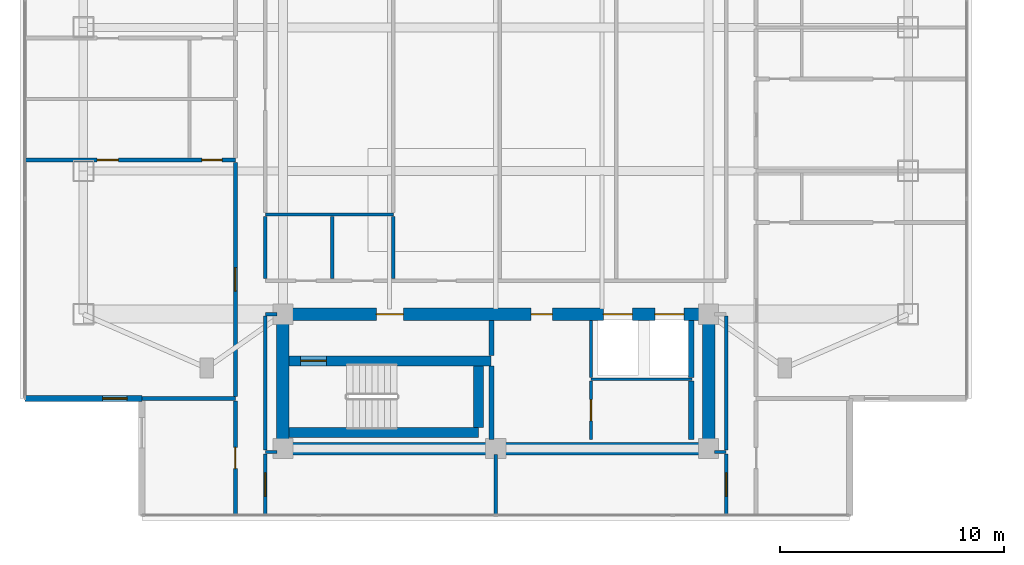
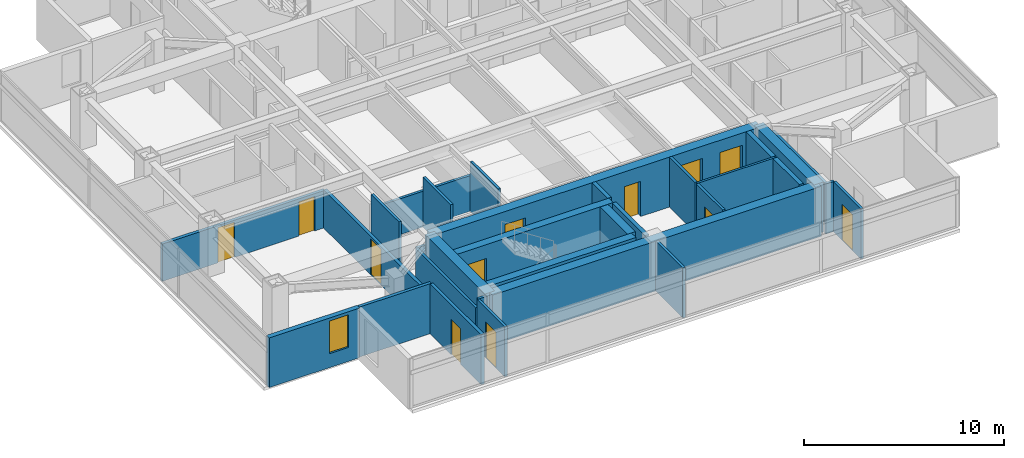
# One storey, part 13 of 26: 31 walls, 12 doors, 1 window, 13 openings.
"""IFC4 building model written with IfcOpenShell, lengths in metres."""

from ifc_helpers import new_model, si_unit, direction, frame, frame_2d, origin, place, context, subcontext, project, spatial, rectangle, extrude, material, layer, layer_set, type_object, element, fill, save


model = new_model("IFC4")

# Units and contexts
model_context = context("Model", 3, precision=1e-05, world=origin(), true_north=direction((0.0, 1.0)))
body_context = subcontext(model_context, "Body", "Model", "MODEL_VIEW")
ifc_project = project(units=[si_unit("LENGTHUNIT", "METRE"), si_unit("AREAUNIT", "SQUARE_METRE"), si_unit("VOLUMEUNIT", "CUBIC_METRE"), si_unit("PLANEANGLEUNIT", "RADIAN"), si_unit("MASSUNIT", "GRAM", prefix="KILO")], contexts=[model_context])

# Site, building, storey
site_placement = place(None, origin())
site = spatial("IfcSite", under=ifc_project, at=site_placement, CompositionType="ELEMENT")
building_placement = place(site_placement, origin())
building = spatial("IfcBuilding", under=site, at=building_placement, Name="Mirazonda Arch Towers", CompositionType="ELEMENT")
storey_placement = place(building_placement, frame((0.0, 0.0, 203.14990234375)))
storey = spatial("IfcBuildingStorey", under=building, at=storey_placement, Name="L58", CompositionType="ELEMENT", Elevation=203.14990234375)

# Wall
ifc_material_1 = material(Name="Concrete C50/60", Category="concrete")
ifc_layer_1 = layer(ifc_material_1, 0.449951171875, Name="WALL-CORE-450")
ifc_layer_set_1 = layer_set([ifc_layer_1], Name="Concrete C50/60")
wall_type_1 = type_object("IfcWallType", Name="WALL-CORE-450", PredefinedType="SHEAR", material=ifc_layer_set_1)
wall_1_placement = place(storey_placement, frame((11.27001953125, 13.1201171875, 0.0), z_axis=(0.0, 0.0, 1.0), x_axis=(1.0, 0.0, 0.0)))
element("IfcWall", 1, at=wall_1_placement, inside=storey, type_object=wall_type_1, Name="L58 Stair Core Shear Wall 003", PredefinedType="SHEAR", context=body_context, shape_type="SweptSolid", body=[
    extrude(rectangle(XDim=8.4599609375, YDim=0.449951171875, at=frame_2d((4.22998046875, 0.0))), origin(), (0.0, 0.0, 1.0), 3.050048828125),
])

# Wall, opening, door
wall_2_placement = place(storey_placement, frame((11.27001953125, 16.320068359375, 0.0), z_axis=(0.0, 0.0, 1.0), x_axis=(1.0, 0.0, 0.0)))
wall_2 = element("IfcWall", 2, at=wall_2_placement, inside=storey, type_object=wall_type_1, Name="L58 Stair Core Shear Wall 007", PredefinedType="SHEAR", context=body_context, shape_type="SweptSolid", body=[
    extrude(rectangle(XDim=9.010009765625, YDim=0.449951171875, at=frame_2d((4.5048828125, 0.0))), origin(), (0.0, 0.0, 1.0), 3.050048828125),
])
opening_1_placement = place(wall_2_placement, frame((0.52001953125, 0.0, 0.0)))
opening_1 = element("IfcOpeningElement", 3, at=opening_1_placement, cuts=wall_2, Name="Opening DR-135", PredefinedType="OPENING", context=body_context, shape_type="SweptSolid", body=[
    extrude(rectangle(XDim=1.14990234375, YDim=2.199951171875, at=frame_2d((0.574951171875, 1.10009765625))), frame((0.0, 0.23486328125, 0.0), z_axis=(0.0, -1.0, 0.0), x_axis=(1.0, 0.0, 0.0)), (0.0, 0.0, 1.0), 0.469970703125),
])
ifc_material_2 = material(Name="Architectural Brushed Steel S355", Category="steel")
door_type_1 = type_object("IfcDoorType", Name="DOOR-STAIR-FD90-1150", OperationType="NOTDEFINED", PredefinedType="DOOR", material=ifc_material_2)
door_1_placement = place(opening_1_placement, origin())
door_1 = element("IfcDoor", 4, at=door_1_placement, inside=storey, type_object=door_type_1, Name="L58 Protected Exit Stair South Door", OperationType="SINGLE_SWING_RIGHT", OverallHeight=2.199951171875, OverallWidth=1.14990234375, PredefinedType="DOOR", context=body_context, shape_type="SweptSolid", body=[
    extrude(rectangle(XDim=1.14990234375, YDim=2.199951171875, at=frame_2d((0.574951171875, 1.10009765625))), frame((0.0, 0.02490234375, 0.0), z_axis=(0.0, -1.0, 0.0), x_axis=(1.0, 0.0, 0.0)), (0.0, 0.0, 1.0), 0.050048828125),
])
fill(opening_1, door_1)

# Walls
wall_3_placement = place(storey_placement, frame((19.72998046875, 13.35498046875, 0.0), z_axis=(0.0, 0.0, 1.0), x_axis=(0.0, 1.0, 0.0)))
element("IfcWall", 5, at=wall_3_placement, inside=storey, type_object=wall_type_1, Name="L58 Stair Core Shear Wall 078", PredefinedType="SHEAR", context=body_context, shape_type="SweptSolid", body=[
    extrude(rectangle(XDim=2.72998046875, YDim=0.449951171875, at=frame_2d((1.364990234375, 0.0))), origin(), (0.0, 0.0, 1.0), 3.050048828125),
])
ifc_layer_2 = layer(ifc_material_1, 0.550048828125, Name="WALL-CORE-550")
ifc_layer_set_2 = layer_set([ifc_layer_2], Name="Concrete C50/60")
wall_type_2 = type_object("IfcWallType", Name="WALL-CORE-550", PredefinedType="SHEAR", material=ifc_layer_set_2)
wall_4_placement = place(storey_placement, frame((11.0, 12.39990234375, 0.0), z_axis=(0.0, 0.0, 1.0), x_axis=(1.0, 0.0, 0.0)))
element("IfcWall", 6, at=wall_4_placement, inside=storey, type_object=wall_type_2, Name="L58 T1S-S Core Shear Wall", PredefinedType="SHEAR", context=body_context, shape_type="SweptSolid", body=[
    extrude(rectangle(XDim=19.0, YDim=0.550048828125, at=frame_2d((9.5, 0.0))), origin(), (0.0, 0.0, 1.0), 3.050048828125),
])
for number, where, z_axis, x_axis, name in (
    (7, (11.0, 12.39990234375, 0.0), (0.0, 0.0, 1.0), (0.0, 1.0, 0.0), "L58 T1S-W Core Shear Wall"),
    (8, (30.0, 12.39990234375, 0.0), (0.0, 0.0, 1.0), (0.0, 1.0, 0.0), "L58 T1S-E Core Shear Wall"),
):
    element("IfcWall", number, at=place(storey_placement, frame(where, z_axis=z_axis, x_axis=x_axis)), inside=storey, type_object=wall_type_2, Name=name, PredefinedType="SHEAR", context=body_context, shape_type="SweptSolid", body=[
        extrude(rectangle(XDim=6.0, YDim=0.550048828125, at=frame_2d((3.0, 0.0))), origin(), (0.0, 0.0, 1.0), 3.050048828125),
    ])

# Wall, openings, doors
wall_5_placement = place(storey_placement, frame((11.0, 18.39990234375, 0.0), z_axis=(0.0, 0.0, 1.0), x_axis=(1.0, 0.0, 0.0)))
wall_5 = element("IfcWall", 9, at=wall_5_placement, inside=storey, type_object=wall_type_2, Name="L58 T1S-N Core Shear Wall", PredefinedType="SHEAR", context=body_context, shape_type="SweptSolid", body=[
    extrude(rectangle(XDim=19.0, YDim=0.550048828125, at=frame_2d((9.5, 0.0))), origin(), (0.0, 0.0, 1.0), 3.050048828125),
])
opening_2_placement = place(wall_5_placement, frame((4.175048828125, 0.0, 0.0)))
opening_2 = element("IfcOpeningElement", 10, at=opening_2_placement, cuts=wall_5, Name="Opening DR-117", PredefinedType="OPENING", context=body_context, shape_type="SweptSolid", body=[
    extrude(rectangle(XDim=1.199951171875, YDim=2.25, at=frame_2d((0.60009765625, 1.125))), frame((0.0, 0.284912109375, 0.0), z_axis=(0.0, -1.0, 0.0), x_axis=(1.0, 0.0, 0.0)), (0.0, 0.0, 1.0), 0.570068359375),
])
opening_3_placement = place(wall_5_placement, frame((11.074951171875, 0.0, 0.0)))
opening_3 = element("IfcOpeningElement", 11, at=opening_3_placement, cuts=wall_5, Name="Opening DR-104", PredefinedType="OPENING", context=body_context, shape_type="SweptSolid", body=[
    extrude(rectangle(XDim=0.949951171875, YDim=2.14990234375, at=frame_2d((0.47509765625, 1.074951171875))), frame((0.0, 0.284912109375, 0.0), z_axis=(0.0, -1.0, 0.0), x_axis=(1.0, 0.0, 0.0)), (0.0, 0.0, 1.0), 0.570068359375),
])
opening_4_placement = place(wall_5_placement, frame((14.300048828125, 0.0, 0.0)))
opening_4 = element("IfcOpeningElement", 12, at=opening_4_placement, cuts=wall_5, Name="Opening LD-111", PredefinedType="OPENING", context=body_context, shape_type="SweptSolid", body=[
    extrude(rectangle(XDim=1.300048828125, YDim=2.300048828125, at=frame_2d((0.64990234375, 1.14990234375))), frame((0.0, 0.284912109375, 0.0), z_axis=(0.0, -1.0, 0.0), x_axis=(1.0, 0.0, 0.0)), (0.0, 0.0, 1.0), 0.570068359375),
])
opening_5_placement = place(wall_5_placement, frame((16.60009765625, 0.0, 0.0)))
opening_5 = element("IfcOpeningElement", 13, at=opening_5_placement, cuts=wall_5, Name="Opening LD-111", PredefinedType="OPENING", context=body_context, shape_type="SweptSolid", body=[
    extrude(rectangle(XDim=1.300048828125, YDim=2.300048828125, at=frame_2d((0.64990234375, 1.14990234375))), frame((0.0, 0.284912109375, 0.0), z_axis=(0.0, -1.0, 0.0), x_axis=(1.0, 0.0, 0.0)), (0.0, 0.0, 1.0), 0.570068359375),
])
door_type_2 = type_object("IfcDoorType", Name="DOOR-FFL-FD90-1200", OperationType="NOTDEFINED", PredefinedType="DOOR", material=ifc_material_2)
door_2_placement = place(opening_2_placement, origin())
door_2 = element("IfcDoor", 14, at=door_2_placement, inside=storey, type_object=door_type_2, Name="L58 South Core Stair & Lift Lobby Door", OperationType="SINGLE_SWING_LEFT", OverallHeight=2.25, OverallWidth=1.199951171875, PredefinedType="DOOR", context=body_context, shape_type="SweptSolid", body=[
    extrude(rectangle(XDim=1.199951171875, YDim=2.25, at=frame_2d((0.60009765625, 1.125))), frame((0.0, 0.02490234375, 0.0), z_axis=(0.0, -1.0, 0.0), x_axis=(1.0, 0.0, 0.0)), (0.0, 0.0, 1.0), 0.050048828125),
])
fill(opening_2, door_2)
door_type_3 = type_object("IfcDoorType", Name="DOOR-LIFT-LAND-1300", OperationType="NOTDEFINED", PredefinedType="DOOR", material=ifc_material_2)
door_3_placement = place(opening_4_placement, origin())
door_3 = element("IfcDoor", 15, at=door_3_placement, inside=storey, type_object=door_type_3, Name="L58 Lift Landing Sliding Door PL-T1H1", OperationType="DOUBLE_DOOR_SLIDING", OverallHeight=2.300048828125, OverallWidth=1.300048828125, PredefinedType="DOOR", context=body_context, shape_type="SweptSolid", body=[
    extrude(rectangle(XDim=1.300048828125, YDim=2.300048828125, at=frame_2d((0.64990234375, 1.14990234375))), frame((0.0, 0.02490234375, 0.0), z_axis=(0.0, -1.0, 0.0), x_axis=(1.0, 0.0, 0.0)), (0.0, 0.0, 1.0), 0.050048828125),
])
fill(opening_4, door_3)
door_4_placement = place(opening_5_placement, origin())
door_4 = element("IfcDoor", 16, at=door_4_placement, inside=storey, type_object=door_type_3, Name="L58 Lift Landing Sliding Door PL-T1H2", OperationType="DOUBLE_DOOR_SLIDING", OverallHeight=2.300048828125, OverallWidth=1.300048828125, PredefinedType="DOOR", context=body_context, shape_type="SweptSolid", body=[
    extrude(rectangle(XDim=1.300048828125, YDim=2.300048828125, at=frame_2d((0.64990234375, 1.14990234375))), frame((0.0, 0.02490234375, 0.0), z_axis=(0.0, -1.0, 0.0), x_axis=(1.0, 0.0, 0.0)), (0.0, 0.0, 1.0), 0.050048828125),
])
fill(opening_5, door_4)
door_type_4 = type_object("IfcDoorType", Name="DOOR-ROOM-950", OperationType="NOTDEFINED", PredefinedType="DOOR", material=ifc_material_2)
door_5_placement = place(opening_3_placement, origin())
door_5 = element("IfcDoor", 17, at=door_5_placement, inside=storey, type_object=door_type_4, Name="L58 Residents Wine Tasting Lounge Door", OperationType="SINGLE_SWING_LEFT", OverallHeight=2.14990234375, OverallWidth=0.949951171875, PredefinedType="DOOR", context=body_context, shape_type="SweptSolid", body=[
    extrude(rectangle(XDim=0.949951171875, YDim=2.14990234375, at=frame_2d((0.47509765625, 1.074951171875))), frame((0.0, 0.02490234375, 0.0), z_axis=(0.0, -1.0, 0.0), x_axis=(1.0, 0.0, 0.0)), (0.0, 0.0, 1.0), 0.050048828125),
])
fill(opening_3, door_5)

# Wall, opening, window
ifc_material_3 = material(Name="Precast Concrete C40/50", Category="concrete")
ifc_layer_3 = layer(ifc_material_3, 0.280029296875, Name="WALL-EXT-WALL-280")
ifc_layer_set_3 = layer_set([ifc_layer_3], Name="Precast Concrete C40/50")
wall_type_3 = type_object("IfcWallType", Name="WALL-EXT-WALL-280", PredefinedType="SOLIDWALL", material=ifc_layer_set_3)
wall_6_placement = place(storey_placement, frame((-0.510009765625, 14.636962890625, 0.0), z_axis=(0.0, 0.0, 1.0), x_axis=(1.0, 0.0, 0.0)))
wall_6 = element("IfcWall", 18, at=wall_6_placement, inside=storey, type_object=wall_type_3, Name="L58 T1 Corner Notch Return Wall WL-L58-T1-CSW2", PredefinedType="SOLIDWALL", context=body_context, shape_type="SweptSolid", body=[
    extrude(rectangle(XDim=5.215087890625, YDim=0.280029296875, at=frame_2d((2.607421875, 0.0))), origin(), (0.0, 0.0, 1.0), 3.030029296875),
])
opening_6_placement = place(wall_6_placement, frame((3.465087890625, 0.0, 0.85009765625)))
opening_6 = element("IfcOpeningElement", 19, at=opening_6_placement, cuts=wall_6, Name="Opening WN-108", PredefinedType="OPENING", context=body_context, shape_type="SweptSolid", body=[
    extrude(rectangle(XDim=1.10009765625, YDim=2.0, at=frame_2d((0.550048828125, 1.0))), frame((0.0, 0.14990234375, 0.0), z_axis=(0.0, -1.0, 0.0), x_axis=(1.0, 0.0, 0.0)), (0.0, 0.0, 1.0), 0.300048828125),
])
ifc_material_4 = material(Name="Insulated Low-E Solar Glass", Category="glass")
window_type = type_object("IfcWindowType", Name="WIN-NOTCH-1100x2000", PartitioningType="SINGLE_PANEL", PredefinedType="WINDOW", material=ifc_material_4)
window_placement = place(opening_6_placement, origin())
window = element("IfcWindow", 20, at=window_placement, inside=storey, type_object=window_type, Name="L58 Punched Facade Window WN-L58-T1-CSW2", OverallHeight=2.0, OverallWidth=1.10009765625, PartitioningType="SINGLE_PANEL", PredefinedType="WINDOW", context=body_context, shape_type="SweptSolid", body=[
    extrude(rectangle(XDim=1.10009765625, YDim=2.0, at=frame_2d((0.550048828125, 1.0))), frame((0.0, 0.030029296875, 0.0), z_axis=(0.0, -1.0, 0.0), x_axis=(1.0, 0.0, 0.0)), (0.0, 0.0, 1.0), 0.06005859375),
])
fill(opening_6, window)

# Walls
ifc_material_5 = material(Name="Concrete C40/50", Category="concrete")
ifc_layer_4 = layer(ifc_material_5, 0.219970703125, Name="WALL-FFL-220")
ifc_layer_set_4 = layer_set([ifc_layer_4], Name="Concrete C40/50")
wall_type_4 = type_object("IfcWallType", Name="WALL-FFL-220", PredefinedType="SOLIDWALL", material=ifc_layer_set_4)
wall_7_placement = place(storey_placement, frame((20.31494140625, 12.800048828125, 0.0), z_axis=(0.0, 0.0, 1.0), x_axis=(0.0, 1.0, 0.0)))
element("IfcWall", 21, at=wall_7_placement, inside=storey, type_object=wall_type_4, Name="L58 Interior Partition 080", PredefinedType="SOLIDWALL", context=body_context, shape_type="SweptSolid", body=[
    extrude(rectangle(XDim=3.284912109375, YDim=0.219970703125, at=frame_2d((1.642578125, 0.0))), origin(), (0.0, 0.0, 1.0), 3.050048828125),
])
wall_8_placement = place(storey_placement, frame((20.31494140625, 16.554931640625, 0.0), z_axis=(0.0, 0.0, 1.0), x_axis=(0.0, 1.0, 0.0)))
element("IfcWall", 22, at=wall_8_placement, inside=storey, type_object=wall_type_4, Name="L58 Interior Partition 081", PredefinedType="SOLIDWALL", context=body_context, shape_type="SweptSolid", body=[
    extrude(rectangle(XDim=1.574951171875, YDim=0.219970703125, at=frame_2d((0.78759765625, 0.0))), origin(), (0.0, 0.0, 1.0), 3.050048828125),
])
ifc_material_6 = material(Name="Fire-Rated Gypsum Stud Partition")
ifc_layer_5 = layer(ifc_material_6, 0.14990234375, Name="WALL-PART-CORR-150")
ifc_layer_set_5 = layer_set([ifc_layer_5], Name="Fire-Rated Gypsum Stud Partition")
wall_type_5 = type_object("IfcWallType", Name="WALL-PART-CORR-150", PredefinedType="PARTITIONING", material=ifc_layer_set_5)
for number, where, z_axis, x_axis, name in (
    (23, (10.219970703125, 12.25, 0.0), (0.0, 0.0, 1.0), (1.0, 0.0, 0.0), "L58 Interior Partition 001"),
    (24, (30.27001953125, 12.25, 0.0), (0.0, 0.0, 1.0), (1.0, 0.0, 0.0), "L58 Interior Partition 002"),
):
    element("IfcWall", number, at=place(storey_placement, frame(where, z_axis=z_axis, x_axis=x_axis)), inside=storey, type_object=wall_type_5, Name=name, PredefinedType="PARTITIONING", context=body_context, shape_type="SweptSolid", body=[
        extrude(rectangle(XDim=0.510009765625, YDim=0.14990234375, at=frame_2d((0.2548828125, 0.0))), origin(), (0.0, 0.0, 1.0), 3.050048828125),
    ])
wall_9_placement = place(storey_placement, frame((10.219970703125, 18.39990234375, 0.0), z_axis=(0.0, 0.0, 1.0), x_axis=(1.0, 0.0, 0.0)))
element("IfcWall", 25, at=wall_9_placement, inside=storey, type_object=wall_type_5, Name="L58 Interior Partition 011", PredefinedType="PARTITIONING", context=body_context, shape_type="SweptSolid", body=[
    extrude(rectangle(XDim=0.510009765625, YDim=0.14990234375, at=frame_2d((0.2548828125, 0.0))), origin(), (0.0, 0.0, 1.0), 2.442138671875),
])
wall_10_placement = place(storey_placement, frame((10.219970703125, 22.85009765625, 0.0), z_axis=(0.0, 0.0, 1.0), x_axis=(1.0, 0.0, 0.0)))
element("IfcWall", 26, at=wall_10_placement, inside=storey, type_object=wall_type_5, Name="L58 Interior Partition 023", PredefinedType="PARTITIONING", context=body_context, shape_type="SweptSolid", body=[
    extrude(rectangle(XDim=5.7099609375, YDim=0.14990234375, at=frame_2d((2.85498046875, 0.0))), origin(), (0.0, 0.0, 1.0), 2.18603515625),
])

# Wall, opening, door
wall_11_placement = place(storey_placement, frame((10.219970703125, 9.422119140625, 0.0), z_axis=(0.0, 0.0, 1.0), x_axis=(0.0, 1.0, 0.0)))
wall_11 = element("IfcWall", 27, at=wall_11_placement, inside=storey, type_object=wall_type_5, Name="L58 Interior Partition 066", PredefinedType="PARTITIONING", context=body_context, shape_type="SweptSolid", body=[
    extrude(rectangle(XDim=2.742919921875, YDim=0.14990234375, at=frame_2d((1.37158203125, 0.0))), origin(), (0.0, 0.0, 1.0), 3.050048828125),
])
opening_7_placement = place(wall_11_placement, frame((0.846435546875, 0.0, 0.0)))
opening_7 = element("IfcOpeningElement", 28, at=opening_7_placement, cuts=wall_11, Name="Opening DR-121", PredefinedType="OPENING", context=body_context, shape_type="SweptSolid", body=[
    extrude(rectangle(XDim=1.050048828125, YDim=2.199951171875, at=frame_2d((0.52490234375, 1.10009765625))), frame((0.0, 0.0849609375, 0.0), z_axis=(0.0, -1.0, 0.0), x_axis=(1.0, 0.0, 0.0)), (0.0, 0.0, 1.0), 0.169921875),
])
door_type_5 = type_object("IfcDoorType", Name="DOOR-SUITE-FD60-1050", OperationType="NOTDEFINED", PredefinedType="DOOR", material=ifc_material_2)
door_6_placement = place(opening_7_placement, origin())
door_6 = element("IfcDoor", 29, at=door_6_placement, inside=storey, type_object=door_type_5, Name="L58 South Horizon Lounge West Door", OperationType="SINGLE_SWING_RIGHT", OverallHeight=2.199951171875, OverallWidth=1.050048828125, PredefinedType="DOOR", context=body_context, shape_type="SweptSolid", body=[
    extrude(rectangle(XDim=1.050048828125, YDim=2.199951171875, at=frame_2d((0.52490234375, 1.10009765625))), frame((0.0, 0.02490234375, 0.0), z_axis=(0.0, -1.0, 0.0), x_axis=(1.0, 0.0, 0.0)), (0.0, 0.0, 1.0), 0.050048828125),
])
fill(opening_7, door_6)

# Walls
wall_12_placement = place(storey_placement, frame((10.219970703125, 12.3349609375, 0.0), z_axis=(0.0, 0.0, 1.0), x_axis=(0.0, 1.0, 0.0)))
element("IfcWall", 30, at=wall_12_placement, inside=storey, type_object=wall_type_5, Name="L58 Interior Partition 067", PredefinedType="PARTITIONING", context=body_context, shape_type="SweptSolid", body=[
    extrude(rectangle(XDim=5.97998046875, YDim=0.14990234375, at=frame_2d((2.989990234375, 0.0))), origin(), (0.0, 0.0, 1.0), 2.442138671875),
])
for number, where, z_axis, x_axis, name in (
    (31, (10.219970703125, 19.985107421875, 0.0), (0.0, 0.0, 1.0), (0.0, 1.0, 0.0), "L58 Interior Partition 068"),
    (32, (13.199951171875, 19.985107421875, 0.0), (0.0, 0.0, 1.0), (0.0, 1.0, 0.0), "L58 Interior Partition 073"),
    (33, (15.929931640625, 19.985107421875, 0.0), (0.0, 0.0, 1.0), (0.0, 1.0, 0.0), "L58 Interior Partition 075"),
):
    element("IfcWall", number, at=place(storey_placement, frame(where, z_axis=z_axis, x_axis=x_axis)), inside=storey, type_object=wall_type_5, Name=name, PredefinedType="PARTITIONING", context=body_context, shape_type="SweptSolid", body=[
        extrude(rectangle(XDim=2.77978515625, YDim=0.14990234375, at=frame_2d((1.389892578125, 0.0))), origin(), (0.0, 0.0, 1.0), 3.050048828125),
    ])
wall_13_placement = place(storey_placement, frame((20.5, 9.422119140625, 0.0), z_axis=(0.0, 0.0, 1.0), x_axis=(0.0, 1.0, 0.0)))
element("IfcWall", 34, at=wall_13_placement, inside=storey, type_object=wall_type_5, Name="L58 Interior Partition 083", PredefinedType="PARTITIONING", context=body_context, shape_type="SweptSolid", body=[
    extrude(rectangle(XDim=2.707763671875, YDim=0.14990234375, at=frame_2d((1.35400390625, 0.0))), origin(), (0.0, 0.0, 1.0), 3.050048828125),
])

# Wall, opening, door
wall_14_placement = place(storey_placement, frame((24.75, 12.800048828125, 0.0), z_axis=(0.0, 0.0, 1.0), x_axis=(0.0, 1.0, 0.0)))
wall_14 = element("IfcWall", 35, at=wall_14_placement, inside=storey, type_object=wall_type_5, Name="L58 Interior Partition 086", PredefinedType="PARTITIONING", context=body_context, shape_type="SweptSolid", body=[
    extrude(rectangle(XDim=2.62744140625, YDim=0.14990234375, at=frame_2d((1.313720703125, 0.0))), origin(), (0.0, 0.0, 1.0), 3.050048828125),
])
opening_8_placement = place(wall_14_placement, frame((0.838623046875, 0.0, 0.0)))
opening_8 = element("IfcOpeningElement", 36, at=opening_8_placement, cuts=wall_14, Name="Opening DR-104", PredefinedType="OPENING", context=body_context, shape_type="SweptSolid", body=[
    extrude(rectangle(XDim=0.949951171875, YDim=2.14990234375, at=frame_2d((0.47509765625, 1.074951171875))), frame((0.0, 0.0849609375, 0.0), z_axis=(0.0, -1.0, 0.0), x_axis=(1.0, 0.0, 0.0)), (0.0, 0.0, 1.0), 0.169921875),
])
door_7_placement = place(opening_8_placement, origin())
door_7 = element("IfcDoor", 37, at=door_7_placement, inside=storey, type_object=door_type_4, Name="L58 Residents Private Archive Study Door", OperationType="SINGLE_SWING_RIGHT", OverallHeight=2.14990234375, OverallWidth=0.949951171875, PredefinedType="DOOR", context=body_context, shape_type="SweptSolid", body=[
    extrude(rectangle(XDim=0.949951171875, YDim=2.14990234375, at=frame_2d((0.47509765625, 1.074951171875))), frame((0.0, 0.02490234375, 0.0), z_axis=(0.0, -1.0, 0.0), x_axis=(1.0, 0.0, 0.0)), (0.0, 0.0, 1.0), 0.050048828125),
])
fill(opening_8, door_7)

# Wall
wall_15_placement = place(storey_placement, frame((24.75, 15.572509765625, 0.0), z_axis=(0.0, 0.0, 1.0), x_axis=(0.0, 1.0, 0.0)))
element("IfcWall", 38, at=wall_15_placement, inside=storey, type_object=wall_type_5, Name="L58 Interior Partition 087", PredefinedType="PARTITIONING", context=body_context, shape_type="SweptSolid", body=[
    extrude(rectangle(XDim=2.557373046875, YDim=0.14990234375, at=frame_2d((1.27880859375, 0.0))), origin(), (0.0, 0.0, 1.0), 3.050048828125),
])

# Wall, opening, door
wall_16_placement = place(storey_placement, frame((30.780029296875, 9.422119140625, 0.0), z_axis=(0.0, 0.0, 1.0), x_axis=(0.0, 1.0, 0.0)))
wall_16 = element("IfcWall", 39, at=wall_16_placement, inside=storey, type_object=wall_type_5, Name="L58 Interior Partition 098", PredefinedType="PARTITIONING", context=body_context, shape_type="SweptSolid", body=[
    extrude(rectangle(XDim=2.742919921875, YDim=0.14990234375, at=frame_2d((1.37158203125, 0.0))), origin(), (0.0, 0.0, 1.0), 3.050048828125),
])
opening_9_placement = place(wall_16_placement, frame((0.846435546875, 0.0, 0.0)))
opening_9 = element("IfcOpeningElement", 40, at=opening_9_placement, cuts=wall_16, Name="Opening DR-121", PredefinedType="OPENING", context=body_context, shape_type="SweptSolid", body=[
    extrude(rectangle(XDim=1.050048828125, YDim=2.199951171875, at=frame_2d((0.52490234375, 1.10009765625))), frame((0.0, 0.0849609375, 0.0), z_axis=(0.0, -1.0, 0.0), x_axis=(1.0, 0.0, 0.0)), (0.0, 0.0, 1.0), 0.169921875),
])
door_8_placement = place(opening_9_placement, origin())
door_8 = element("IfcDoor", 41, at=door_8_placement, inside=storey, type_object=door_type_5, Name="L58 South Horizon Lounge East Door", OperationType="SINGLE_SWING_LEFT", OverallHeight=2.199951171875, OverallWidth=1.050048828125, PredefinedType="DOOR", context=body_context, shape_type="SweptSolid", body=[
    extrude(rectangle(XDim=1.050048828125, YDim=2.199951171875, at=frame_2d((0.52490234375, 1.10009765625))), frame((0.0, 0.02490234375, 0.0), z_axis=(0.0, -1.0, 0.0), x_axis=(1.0, 0.0, 0.0)), (0.0, 0.0, 1.0), 0.050048828125),
])
fill(opening_9, door_8)

# Walls
wall_17_placement = place(storey_placement, frame((30.780029296875, 12.3349609375, 0.0), z_axis=(0.0, 0.0, 1.0), x_axis=(0.0, 1.0, 0.0)))
element("IfcWall", 42, at=wall_17_placement, inside=storey, type_object=wall_type_5, Name="L58 Interior Partition 099", PredefinedType="PARTITIONING", context=body_context, shape_type="SweptSolid", body=[
    extrude(rectangle(XDim=5.97998046875, YDim=0.14990234375, at=frame_2d((2.989990234375, 0.0))), origin(), (0.0, 0.0, 1.0), 2.442138671875),
])
ifc_material_7 = material(Name="Fire-Rated Gypsum Twin-Stud Assembly")
ifc_layer_6 = layer(ifc_material_7, 0.179931640625, Name="WALL-PART-DEMISE-180")
ifc_layer_set_6 = layer_set([ifc_layer_6], Name="Fire-Rated Gypsum Twin-Stud Assembly")
wall_type_6 = type_object("IfcWallType", Name="WALL-PART-DEMISE-180", PredefinedType="PARTITIONING", material=ifc_layer_set_6)
wall_18_placement = place(storey_placement, frame((4.72509765625, 14.636962890625, 0.0), z_axis=(0.0, 0.0, 1.0), x_axis=(1.0, 0.0, 0.0)))
element("IfcWall", 43, at=wall_18_placement, inside=storey, type_object=wall_type_6, Name="L58 Interior Partition 004", PredefinedType="PARTITIONING", context=body_context, shape_type="SweptSolid", body=[
    extrude(rectangle(XDim=4.15478515625, YDim=0.179931640625, at=frame_2d((2.077392578125, 0.0))), origin(), (0.0, 0.0, 1.0), 3.050048828125),
])

# Wall, openings, doors
wall_19_placement = place(storey_placement, frame((-0.510009765625, 25.280029296875, 0.0), z_axis=(0.0, 0.0, 1.0), x_axis=(1.0, 0.0, 0.0)))
wall_19 = element("IfcWall", 44, at=wall_19_placement, inside=storey, type_object=wall_type_6, Name="L58 Interior Partition 027", PredefinedType="PARTITIONING", context=body_context, shape_type="SweptSolid", body=[
    extrude(rectangle(XDim=9.389892578125, YDim=0.179931640625, at=frame_2d((4.69482421875, 0.0))), origin(), (0.0, 0.0, 1.0), 2.26904296875),
])
opening_10_placement = place(wall_19_placement, frame((3.219970703125, 0.0, 0.0)))
opening_10 = element("IfcOpeningElement", 45, at=opening_10_placement, cuts=wall_19, Name="Opening DR-104", PredefinedType="OPENING", context=body_context, shape_type="SweptSolid", body=[
    extrude(rectangle(XDim=0.949951171875, YDim=2.14990234375, at=frame_2d((0.47509765625, 1.074951171875))), frame((0.0, 0.099853515625, 0.0), z_axis=(0.0, -1.0, 0.0), x_axis=(1.0, 0.0, 0.0)), (0.0, 0.0, 1.0), 0.199951171875),
])
opening_11_placement = place(wall_19_placement, frame((7.89990234375, 0.0, 0.0)))
opening_11 = element("IfcOpeningElement", 46, at=opening_11_placement, cuts=wall_19, Name="Opening DR-120", PredefinedType="OPENING", context=body_context, shape_type="SweptSolid", body=[
    extrude(rectangle(XDim=0.89990234375, YDim=2.10009765625, at=frame_2d((0.449951171875, 1.050048828125))), frame((0.0, 0.099853515625, 0.0), z_axis=(0.0, -1.0, 0.0), x_axis=(1.0, 0.0, 0.0)), (0.0, 0.0, 1.0), 0.199951171875),
])
door_9_placement = place(opening_10_placement, origin())
door_9 = element("IfcDoor", 47, at=door_9_placement, inside=storey, type_object=door_type_4, Name="L58 Suite Bedroom 1 Door", OperationType="SINGLE_SWING_LEFT", OverallHeight=2.14990234375, OverallWidth=0.949951171875, PredefinedType="DOOR", context=body_context, shape_type="SweptSolid", body=[
    extrude(rectangle(XDim=0.949951171875, YDim=2.14990234375, at=frame_2d((0.47509765625, 1.074951171875))), frame((0.0, 0.02490234375, 0.0), z_axis=(0.0, -1.0, 0.0), x_axis=(1.0, 0.0, 0.0)), (0.0, 0.0, 1.0), 0.050048828125),
])
fill(opening_10, door_9)
door_type_6 = type_object("IfcDoorType", Name="DOOR-WC-900", OperationType="NOTDEFINED", PredefinedType="DOOR", material=ifc_material_2)
door_10_placement = place(opening_11_placement, origin())
door_10 = element("IfcDoor", 48, at=door_10_placement, inside=storey, type_object=door_type_6, Name="L58 Suite En-Suite Bathroom 1 Door", OperationType="SINGLE_SWING_RIGHT", OverallHeight=2.10009765625, OverallWidth=0.89990234375, PredefinedType="DOOR", context=body_context, shape_type="SweptSolid", body=[
    extrude(rectangle(XDim=0.89990234375, YDim=2.10009765625, at=frame_2d((0.449951171875, 1.050048828125))), frame((0.0, 0.02490234375, 0.0), z_axis=(0.0, -1.0, 0.0), x_axis=(1.0, 0.0, 0.0)), (0.0, 0.0, 1.0), 0.050048828125),
])
fill(opening_11, door_10)

# Wall, opening, door
wall_20_placement = place(storey_placement, frame((8.8798828125, 9.422119140625, 0.0), z_axis=(0.0, 0.0, 1.0), x_axis=(0.0, 1.0, 0.0)))
wall_20 = element("IfcWall", 49, at=wall_20_placement, inside=storey, type_object=wall_type_6, Name="L58 Interior Partition 060", PredefinedType="PARTITIONING", context=body_context, shape_type="SweptSolid", body=[
    extrude(rectangle(XDim=5.114990234375, YDim=0.179931640625, at=frame_2d((2.5576171875, 0.0))), origin(), (0.0, 0.0, 1.0), 3.050048828125),
])
opening_12_placement = place(wall_20_placement, frame((2.08251953125, 0.0, 0.0)))
opening_12 = element("IfcOpeningElement", 50, at=opening_12_placement, cuts=wall_20, Name="Opening DR-104", PredefinedType="OPENING", context=body_context, shape_type="SweptSolid", body=[
    extrude(rectangle(XDim=0.949951171875, YDim=2.14990234375, at=frame_2d((0.47509765625, 1.074951171875))), frame((0.0, 0.099853515625, 0.0), z_axis=(0.0, -1.0, 0.0), x_axis=(1.0, 0.0, 0.0)), (0.0, 0.0, 1.0), 0.199951171875),
])
door_11_placement = place(opening_12_placement, origin())
door_11 = element("IfcDoor", 51, at=door_11_placement, inside=storey, type_object=door_type_4, Name="L58 South Horizon Lounge Alcove West Door", OperationType="SINGLE_SWING_RIGHT", OverallHeight=2.14990234375, OverallWidth=0.949951171875, PredefinedType="DOOR", context=body_context, shape_type="SweptSolid", body=[
    extrude(rectangle(XDim=0.949951171875, YDim=2.14990234375, at=frame_2d((0.47509765625, 1.074951171875))), frame((0.0, 0.02490234375, 0.0), z_axis=(0.0, -1.0, 0.0), x_axis=(1.0, 0.0, 0.0)), (0.0, 0.0, 1.0), 0.050048828125),
])
fill(opening_12, door_11)

wall_21_placement = place(storey_placement, frame((8.8798828125, 14.737060546875, 0.0), z_axis=(0.0, 0.0, 1.0), x_axis=(0.0, 1.0, 0.0)))
wall_21 = element("IfcWall", 52, at=wall_21_placement, inside=storey, type_object=wall_type_6, Name="L58 Interior Partition 061", PredefinedType="PARTITIONING", context=body_context, shape_type="SweptSolid", body=[
    extrude(rectangle(XDim=10.44287109375, YDim=0.179931640625, at=frame_2d((5.221435546875, 0.0))), origin(), (0.0, 0.0, 1.0), 2.34619140625),
])
opening_13_placement = place(wall_21_placement, frame((4.696533203125, 0.0, 0.0)))
opening_13 = element("IfcOpeningElement", 53, at=opening_13_placement, cuts=wall_21, Name="Opening DR-121", PredefinedType="OPENING", context=body_context, shape_type="SweptSolid", body=[
    extrude(rectangle(XDim=1.050048828125, YDim=2.199951171875, at=frame_2d((0.52490234375, 1.10009765625))), frame((0.0, 0.099853515625, 0.0), z_axis=(0.0, -1.0, 0.0), x_axis=(1.0, 0.0, 0.0)), (0.0, 0.0, 1.0), 0.199951171875),
])
door_12_placement = place(opening_13_placement, origin())
door_12 = element("IfcDoor", 54, at=door_12_placement, inside=storey, type_object=door_type_5, Name="L58 Presidential Hotel Suite 1 Door", OperationType="SINGLE_SWING_RIGHT", OverallHeight=2.199951171875, OverallWidth=1.050048828125, PredefinedType="DOOR", context=body_context, shape_type="SweptSolid", body=[
    extrude(rectangle(XDim=1.050048828125, YDim=2.199951171875, at=frame_2d((0.52490234375, 1.10009765625))), frame((0.0, 0.02490234375, 0.0), z_axis=(0.0, -1.0, 0.0), x_axis=(1.0, 0.0, 0.0)), (0.0, 0.0, 1.0), 0.050048828125),
])
fill(opening_13, door_12)

# Walls
ifc_material_8 = material(Name="Acoustic Fire-Rated Gypsum Partition")
ifc_layer_7 = layer(ifc_material_8, 0.125, Name="WALL-PART-UNIT-125")
ifc_layer_set_7 = layer_set([ifc_layer_7], Name="Acoustic Fire-Rated Gypsum Partition")
wall_type_7 = type_object("IfcWallType", Name="WALL-PART-UNIT-125", PredefinedType="PARTITIONING", material=ifc_layer_set_7)
wall_22_placement = place(storey_placement, frame((24.75, 15.5, 0.0), z_axis=(0.0, 0.0, 1.0), x_axis=(1.0, 0.0, 0.0)))
element("IfcWall", 55, at=wall_22_placement, inside=storey, type_object=wall_type_7, Name="L58 Interior Partition 006", PredefinedType="PARTITIONING", context=body_context, shape_type="SweptSolid", body=[
    extrude(rectangle(XDim=4.5, YDim=0.125, at=frame_2d((2.25, 0.0))), origin(), (0.0, 0.0, 1.0), 3.050048828125),
])
ifc_layer_8 = layer(ifc_material_5, 0.25, Name="WALL-SHAFT-250")
ifc_layer_set_8 = layer_set([ifc_layer_8], Name="Concrete C40/50")
wall_type_8 = type_object("IfcWallType", Name="WALL-SHAFT-250", PredefinedType="SOLIDWALL", material=ifc_layer_set_8)
wall_23_placement = place(storey_placement, frame((29.22509765625, 12.800048828125, 0.0), z_axis=(0.0, 0.0, 1.0), x_axis=(0.0, 1.0, 0.0)))
element("IfcWall", 56, at=wall_23_placement, inside=storey, type_object=wall_type_8, Name="L58 Interior Partition 094", PredefinedType="SOLIDWALL", context=body_context, shape_type="SweptSolid", body=[
    extrude(rectangle(XDim=2.62744140625, YDim=0.25, at=frame_2d((1.313720703125, 0.0))), origin(), (0.0, 0.0, 1.0), 3.050048828125),
])
wall_24_placement = place(storey_placement, frame((29.22509765625, 15.572509765625, 0.0), z_axis=(0.0, 0.0, 1.0), x_axis=(0.0, 1.0, 0.0)))
element("IfcWall", 57, at=wall_24_placement, inside=storey, type_object=wall_type_8, Name="L58 Interior Partition 095", PredefinedType="SOLIDWALL", context=body_context, shape_type="SweptSolid", body=[
    extrude(rectangle(XDim=2.557373046875, YDim=0.25, at=frame_2d((1.27880859375, 0.0))), origin(), (0.0, 0.0, 1.0), 3.050048828125),
])

save(model, "model.ifc")
